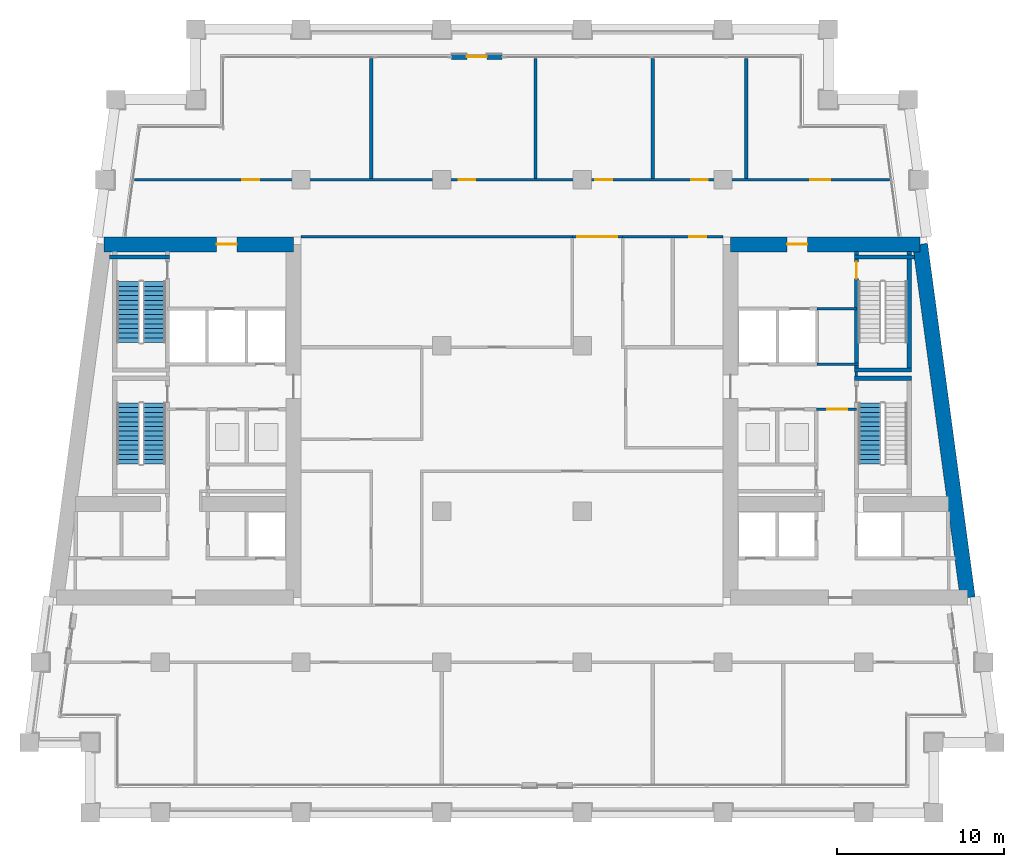
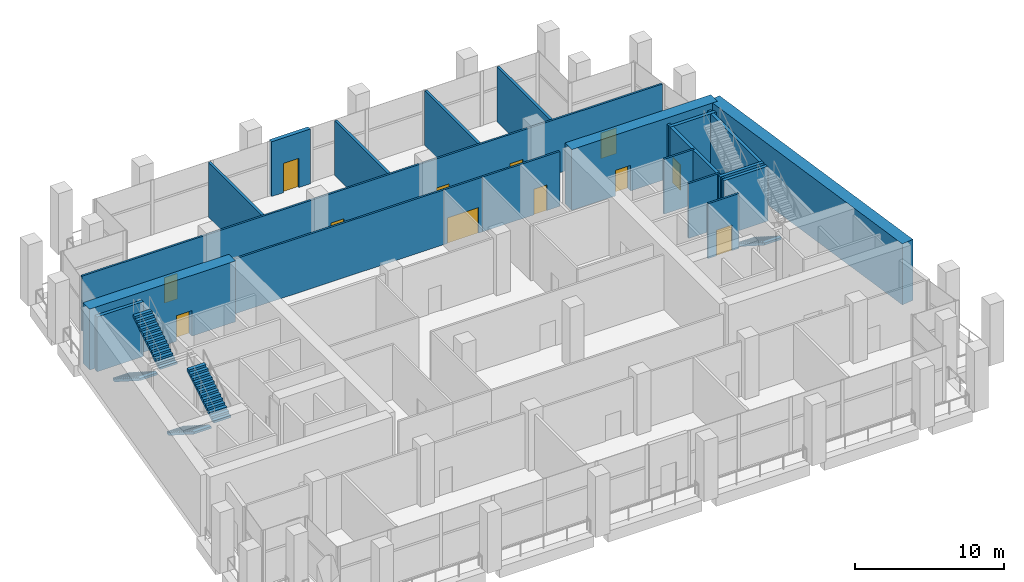
# One storey, part 10 of 16: 22 walls, 12 doors, 5 stair flights, 12 openings, 3 elements without a shape of their own.
"""IFC4 building model written with IfcOpenShell, lengths in metres."""

from ifc_helpers import new_model, si_unit, direction, frame, frame_2d, origin, place, context, subcontext, project, spatial, polyline, rectangle, outline, extrude, material, layer, layer_set, type_object, element, fill, aggregate, save


model = new_model("IFC4")

# Units and contexts
model_context = context("Model", 3, precision=1e-05, world=origin(), true_north=direction((0.0, 1.0)))
body_context = subcontext(model_context, "Body", "Model", "MODEL_VIEW")
ifc_project = project(units=[si_unit("LENGTHUNIT", "METRE"), si_unit("AREAUNIT", "SQUARE_METRE"), si_unit("VOLUMEUNIT", "CUBIC_METRE"), si_unit("PLANEANGLEUNIT", "RADIAN"), si_unit("MASSUNIT", "GRAM", prefix="KILO")], contexts=[model_context])

# Site, building, storey
site_placement = place(None, origin())
site = spatial("IfcSite", under=ifc_project, at=site_placement, CompositionType="ELEMENT")
building_placement = place(site_placement, origin())
building = spatial("IfcBuilding", under=site, at=building_placement, Name="Candeia Pilgrim Tower and Theatre", CompositionType="ELEMENT")
storey_placement = place(building_placement, frame((0.0, 0.0, 192.199951171875)))
storey = spatial("IfcBuildingStorey", under=building, at=storey_placement, Name="L46", CompositionType="ELEMENT", Elevation=192.199951171875)

# Wall, opening, door
ifc_material_1 = material(Name="Concrete C60/75", Category="concrete")
ifc_layer_1 = layer(ifc_material_1, 0.89990234375)
ifc_layer_set_1 = layer_set([ifc_layer_1], Name="Core wall 900 C60/75")
wall_type_1 = type_object("IfcWallType", Name="Core wall 900 C60/75", PredefinedType="SHEAR", material=ifc_layer_set_1)
wall_1_placement = place(storey_placement, frame((89.024169921875, 131.949951171875, 0.0), z_axis=(0.0, 0.0, 1.0), x_axis=(1.0, 0.0, 0.0)))
wall_1 = element("IfcWall", 1, at=wall_1_placement, inside=storey, type_object=wall_type_1, Name="Core wall W1", PredefinedType="SHEAR", context=body_context, shape_type="SweptSolid", body=[
    extrude(rectangle(XDim=11.325927734375, YDim=0.89990234375, at=frame_2d((5.6630859375, 0.0))), origin(), (0.0, 0.0, 1.0), 5.0),
])
opening_1_placement = place(wall_1_placement, frame((6.7392578125, 0.0, 0.0)))
opening_1 = element("IfcOpeningElement", 2, at=opening_1_placement, cuts=wall_1, Name="Opening L46-D033", PredefinedType="OPENING", context=body_context, shape_type="SweptSolid", body=[
    extrude(rectangle(XDim=1.199951171875, YDim=2.10009765625, at=frame_2d((0.60009765625, 1.050048828125))), frame((0.0, 0.4599609375, 0.0), z_axis=(0.0, -1.0, 0.0), x_axis=(1.0, 0.0, 0.0)), (0.0, 0.0, 1.0), 0.919921875),
])
ifc_material_2 = material(Name="Steel fire door set", Category="steel")
door_type_1 = type_object("IfcDoorType", Name="D-1200-FD60", OperationType="NOTDEFINED", PredefinedType="DOOR", material=ifc_material_2)
door_1_placement = place(opening_1_placement, origin())
door_1 = element("IfcDoor", 3, at=door_1_placement, inside=storey, type_object=door_type_1, Name="Door L46-D033", OperationType="SINGLE_SWING_LEFT", OverallHeight=2.10009765625, OverallWidth=1.199951171875, PredefinedType="DOOR", context=body_context, shape_type="SweptSolid", body=[
    extrude(rectangle(XDim=1.199951171875, YDim=2.10009765625, at=frame_2d((0.60009765625, 1.050048828125))), frame((0.0, 0.02490234375, 0.0), z_axis=(0.0, -1.0, 0.0), x_axis=(1.0, 0.0, 0.0)), (0.0, 0.0, 1.0), 0.050048828125),
])
fill(opening_1, door_1)

wall_2_placement = place(storey_placement, frame((126.449951171875, 131.949951171875, 0.0), z_axis=(0.0, 0.0, 1.0), x_axis=(1.0, 0.0, 0.0)))
wall_2 = element("IfcWall", 4, at=wall_2_placement, inside=storey, type_object=wall_type_1, Name="Core wall E1", PredefinedType="SHEAR", context=body_context, shape_type="SweptSolid", body=[
    extrude(rectangle(XDim=11.32568359375, YDim=0.89990234375, at=frame_2d((5.662841796875, 0.0))), origin(), (0.0, 0.0, 1.0), 5.0),
])
opening_2_placement = place(wall_2_placement, frame((3.386474609375, 0.0, 0.0)))
opening_2 = element("IfcOpeningElement", 5, at=opening_2_placement, cuts=wall_2, Name="Opening L46-D036", PredefinedType="OPENING", context=body_context, shape_type="SweptSolid", body=[
    extrude(rectangle(XDim=1.199951171875, YDim=2.10009765625, at=frame_2d((0.60009765625, 1.050048828125))), frame((0.0, 0.4599609375, 0.0), z_axis=(0.0, -1.0, 0.0), x_axis=(1.0, 0.0, 0.0)), (0.0, 0.0, 1.0), 0.919921875),
])
door_2_placement = place(opening_2_placement, origin())
door_2 = element("IfcDoor", 6, at=door_2_placement, inside=storey, type_object=door_type_1, Name="Door L46-D036", OperationType="SINGLE_SWING_RIGHT", OverallHeight=2.10009765625, OverallWidth=1.199951171875, PredefinedType="DOOR", context=body_context, shape_type="SweptSolid", body=[
    extrude(rectangle(XDim=1.199951171875, YDim=2.10009765625, at=frame_2d((0.60009765625, 1.050048828125))), frame((0.0, 0.02490234375, 0.0), z_axis=(0.0, -1.0, 0.0), x_axis=(1.0, 0.0, 0.0)), (0.0, 0.0, 1.0), 0.050048828125),
])
fill(opening_2, door_2)

# Wall
wall_3_placement = place(storey_placement, frame((137.775634765625, 131.949951171875, 0.0), z_axis=(0.0, 0.0, 1.0), x_axis=(0.133421759112, -0.991059349482, 0.0)))
element("IfcWall", 7, at=wall_3_placement, inside=storey, type_object=wall_type_1, Name="Core wall E2", PredefinedType="SHEAR", context=body_context, shape_type="SweptSolid", body=[
    extrude(rectangle(XDim=21.290283203125, YDim=0.89990234375, at=frame_2d((10.64501953125, 0.0))), origin(), (0.0, 0.0, 1.0), 5.0),
])

# Wall, opening, door
ifc_material_3 = material(Name="Ceramic block masonry", Category="masonry")
ifc_layer_2 = layer(ifc_material_3, 0.300048828125)
ifc_layer_set_2 = layer_set([ifc_layer_2], Name="EW2 entrance infill wall 300")
wall_type_2 = type_object("IfcWallType", Name="EW2 entrance infill wall 300", PredefinedType="SOLIDWALL", material=ifc_layer_set_2)
wall_4_placement = place(storey_placement, frame((112.800048828125, 143.14990234375, 0.0), z_axis=(0.0, 0.0, 1.0), x_axis=(-1.0, 0.0, 0.0)))
wall_4 = element("IfcWall", 8, at=wall_4_placement, inside=storey, type_object=wall_type_2, Name="Infill wall L46", PredefinedType="SOLIDWALL", context=body_context, shape_type="SweptSolid", body=[
    extrude(rectangle(XDim=3.0, YDim=0.300048828125, at=frame_2d((1.5, 0.0))), origin(), (0.0, 0.0, 1.0), 4.5),
])
opening_3_placement = place(wall_4_placement, frame((0.89990234375, 0.0, 0.0)))
opening_3 = element("IfcOpeningElement", 9, at=opening_3_placement, cuts=wall_4, Name="Opening L46-ED442", PredefinedType="OPENING", context=body_context, shape_type="SweptSolid", body=[
    extrude(rectangle(XDim=1.199951171875, YDim=2.39990234375, at=frame_2d((0.60009765625, 1.199951171875))), frame((0.0, 0.16015625, 0.0), z_axis=(0.0, -1.0, 0.0), x_axis=(1.0, 0.0, 0.0)), (0.0, 0.0, 1.0), 0.320068359375),
])
ifc_material_4 = material(Name="Aluminium framed glazed door", Category="aluminium")
door_type_2 = type_object("IfcDoorType", Name="Loggia door 1200x2400", OperationType="DOUBLE_DOOR_SINGLE_SWING", PredefinedType="DOOR", material=ifc_material_4)
door_3_placement = place(opening_3_placement, origin())
door_3 = element("IfcDoor", 10, at=door_3_placement, inside=storey, type_object=door_type_2, Name="Loggia door L46-ED442", OperationType="DOUBLE_DOOR_SINGLE_SWING", OverallHeight=2.39990234375, OverallWidth=1.199951171875, PredefinedType="DOOR", context=body_context, shape_type="SweptSolid", body=[
    extrude(rectangle(XDim=1.199951171875, YDim=2.39990234375, at=frame_2d((0.60009765625, 1.199951171875))), frame((0.0, 0.02490234375, 0.0), z_axis=(0.0, -1.0, 0.0), x_axis=(1.0, 0.0, 0.0)), (0.0, 0.0, 1.0), 0.050048828125),
])
fill(opening_3, door_3)

ifc_material_5 = material(Name="Gypsum board partition on steel studs", Category="steel")
ifc_layer_3 = layer(ifc_material_5, 0.14990234375)
ifc_layer_set_3 = layer_set([ifc_layer_3], Name="PW-150 lobby wall")
wall_type_3 = type_object("IfcWallType", Name="PW-150 lobby wall", PredefinedType="PARTITIONING", material=ifc_layer_set_3)
wall_5_placement = place(storey_placement, frame((131.572998046875, 122.10009765625, 0.0), z_axis=(0.0, 0.0, 1.0), x_axis=(1.0, 0.0, 0.0)))
wall_5 = element("IfcWall", 11, at=wall_5_placement, inside=storey, type_object=wall_type_3, Name="Lobby wall L46-024", PredefinedType="PARTITIONING", context=body_context, shape_type="SweptSolid", body=[
    extrude(rectangle(XDim=2.39990234375, YDim=0.14990234375, at=frame_2d((1.199951171875, 0.0))), origin(), (0.0, 0.0, 1.0), 4.5),
])
opening_4_placement = place(wall_5_placement, frame((0.64990234375, 0.0, 0.0)))
opening_4 = element("IfcOpeningElement", 12, at=opening_4_placement, cuts=wall_5, Name="Opening L46-D027", PredefinedType="OPENING", context=body_context, shape_type="SweptSolid", body=[
    extrude(rectangle(XDim=1.199951171875, YDim=2.10009765625, at=frame_2d((0.60009765625, 1.050048828125))), frame((0.0, 0.0849609375, 0.0), z_axis=(0.0, -1.0, 0.0), x_axis=(1.0, 0.0, 0.0)), (0.0, 0.0, 1.0), 0.169921875),
])
door_4_placement = place(opening_4_placement, origin())
door_4 = element("IfcDoor", 13, at=door_4_placement, inside=storey, type_object=door_type_1, Name="Door L46-D027", OperationType="SINGLE_SWING_RIGHT", OverallHeight=2.10009765625, OverallWidth=1.199951171875, PredefinedType="DOOR", context=body_context, shape_type="SweptSolid", body=[
    extrude(rectangle(XDim=1.199951171875, YDim=2.10009765625, at=frame_2d((0.60009765625, 1.050048828125))), frame((0.0, 0.02490234375, 0.0), z_axis=(0.0, -1.0, 0.0), x_axis=(1.0, 0.0, 0.0)), (0.0, 0.0, 1.0), 0.050048828125),
])
fill(opening_4, door_4)

# Walls
wall_6_placement = place(storey_placement, frame((131.615234375, 124.800048828125, 0.0), z_axis=(0.0, 0.0, 1.0), x_axis=(1.0, 0.0, 0.0)))
element("IfcWall", 14, at=wall_6_placement, inside=storey, type_object=wall_type_3, Name="Lobby wall L46-031", PredefinedType="PARTITIONING", context=body_context, shape_type="SweptSolid", body=[
    extrude(rectangle(XDim=2.482666015625, YDim=0.14990234375, at=frame_2d((1.2412109375, 0.0))), origin(), (0.0, 0.0, 1.0), 4.5),
])
wall_7_placement = place(storey_placement, frame((131.615234375, 128.10009765625, 0.0), z_axis=(0.0, 0.0, 1.0), x_axis=(1.0, 0.0, 0.0)))
element("IfcWall", 15, at=wall_7_placement, inside=storey, type_object=wall_type_3, Name="Lobby wall L46-038", PredefinedType="PARTITIONING", context=body_context, shape_type="SweptSolid", body=[
    extrude(rectangle(XDim=2.357666015625, YDim=0.14990234375, at=frame_2d((1.1787109375, 0.0))), origin(), (0.0, 0.0, 1.0), 4.5),
])

# Wall, opening, door
wall_8_placement = place(storey_placement, frame((117.0, 132.39990234375, 0.0), z_axis=(0.0, 0.0, 1.0), x_axis=(1.0, 0.0, 0.0)))
wall_8 = element("IfcWall", 16, at=wall_8_placement, inside=storey, type_object=wall_type_3, Name="Lobby wall L46-041", PredefinedType="PARTITIONING", context=body_context, shape_type="SweptSolid", body=[
    extrude(rectangle(XDim=3.0, YDim=0.14990234375, at=frame_2d((1.5, 0.0))), origin(), (0.0, 0.0, 1.0), 4.5),
])
opening_5_placement = place(wall_8_placement, frame((0.300048828125, 0.0, 0.0)))
opening_5 = element("IfcOpeningElement", 17, at=opening_5_placement, cuts=wall_8, Name="Opening L46-D004", PredefinedType="OPENING", context=body_context, shape_type="SweptSolid", body=[
    extrude(rectangle(XDim=2.39990234375, YDim=2.10009765625, at=frame_2d((1.199951171875, 1.050048828125))), frame((0.0, 0.0849609375, 0.0), z_axis=(0.0, -1.0, 0.0), x_axis=(1.0, 0.0, 0.0)), (0.0, 0.0, 1.0), 0.169921875),
])
door_type_3 = type_object("IfcDoorType", Name="D-2400-FD30S", OperationType="NOTDEFINED", PredefinedType="DOOR", material=ifc_material_2)
door_5_placement = place(opening_5_placement, origin())
door_5 = element("IfcDoor", 18, at=door_5_placement, inside=storey, type_object=door_type_3, Name="Door L46-D004", OperationType="SINGLE_SWING_RIGHT", OverallHeight=2.10009765625, OverallWidth=2.39990234375, PredefinedType="DOOR", context=body_context, shape_type="SweptSolid", body=[
    extrude(rectangle(XDim=2.39990234375, YDim=2.10009765625, at=frame_2d((1.199951171875, 1.050048828125))), frame((0.0, 0.02490234375, 0.0), z_axis=(0.0, -1.0, 0.0), x_axis=(1.0, 0.0, 0.0)), (0.0, 0.0, 1.0), 0.050048828125),
])
fill(opening_5, door_5)

# Walls
wall_9_placement = place(storey_placement, frame((133.972900390625, 124.074951171875, 0.0), z_axis=(0.0, 0.0, 1.0), x_axis=(0.0, 1.0, 0.0)))
element("IfcWall", 19, at=wall_9_placement, inside=storey, type_object=wall_type_3, Name="Lobby wall L46-086", PredefinedType="PARTITIONING", context=body_context, shape_type="SweptSolid", body=[
    extrude(rectangle(XDim=0.25, YDim=0.14990234375, at=frame_2d((0.125, 0.0))), origin(), (0.0, 0.0, 1.0), 4.5),
])
ifc_layer_4 = layer(ifc_material_5, 0.14990234375)
ifc_layer_set_4 = layer_set([ifc_layer_4], Name="PW-150 unit wall")
wall_type_4 = type_object("IfcWallType", Name="PW-150 unit wall", PredefinedType="PARTITIONING", material=ifc_layer_set_4)
wall_10_placement = place(storey_placement, frame((100.800048828125, 132.39990234375, 0.0), z_axis=(0.0, 0.0, 1.0), x_axis=(1.0, 0.0, 0.0)))
element("IfcWall", 20, at=wall_10_placement, inside=storey, type_object=wall_type_4, Name="Unit wall L46-042", PredefinedType="PARTITIONING", context=body_context, shape_type="SweptSolid", body=[
    extrude(rectangle(XDim=16.199951171875, YDim=0.14990234375, at=frame_2d((8.10009765625, 0.0))), origin(), (0.0, 0.0, 1.0), 4.5),
])

# Wall, opening, door
wall_11_placement = place(storey_placement, frame((120.0, 132.39990234375, 0.0), z_axis=(0.0, 0.0, 1.0), x_axis=(1.0, 0.0, 0.0)))
wall_11 = element("IfcWall", 21, at=wall_11_placement, inside=storey, type_object=wall_type_4, Name="Unit wall L46-043", PredefinedType="PARTITIONING", context=body_context, shape_type="SweptSolid", body=[
    extrude(rectangle(XDim=6.0, YDim=0.14990234375, at=frame_2d((3.0, 0.0))), origin(), (0.0, 0.0, 1.0), 4.5),
])
opening_6_placement = place(wall_11_placement, frame((4.0, 0.0, 0.0)))
opening_6 = element("IfcOpeningElement", 22, at=opening_6_placement, cuts=wall_11, Name="Opening L46-D009", PredefinedType="OPENING", context=body_context, shape_type="SweptSolid", body=[
    extrude(rectangle(XDim=1.0, YDim=2.10009765625, at=frame_2d((0.5, 1.050048828125))), frame((0.0, 0.0849609375, 0.0), z_axis=(0.0, -1.0, 0.0), x_axis=(1.0, 0.0, 0.0)), (0.0, 0.0, 1.0), 0.169921875),
])
door_type_4 = type_object("IfcDoorType", Name="D-1000-FD30S", OperationType="NOTDEFINED", PredefinedType="DOOR", material=ifc_material_2)
door_6_placement = place(opening_6_placement, origin())
door_6 = element("IfcDoor", 23, at=door_6_placement, inside=storey, type_object=door_type_4, Name="Door L46-D009", OperationType="SINGLE_SWING_LEFT", OverallHeight=2.10009765625, OverallWidth=1.0, PredefinedType="DOOR", context=body_context, shape_type="SweptSolid", body=[
    extrude(rectangle(XDim=1.0, YDim=2.10009765625, at=frame_2d((0.5, 1.050048828125))), frame((0.0, 0.02490234375, 0.0), z_axis=(0.0, -1.0, 0.0), x_axis=(1.0, 0.0, 0.0)), (0.0, 0.0, 1.0), 0.050048828125),
])
fill(opening_6, door_6)

# Wall, openings, doors
wall_12_placement = place(storey_placement, frame((90.8642578125, 135.800048828125, 0.0), z_axis=(0.0, 0.0, 1.0), x_axis=(1.0, 0.0, 0.0)))
wall_12 = element("IfcWall", 24, at=wall_12_placement, inside=storey, type_object=wall_type_4, Name="Unit wall L46-044", PredefinedType="PARTITIONING", context=body_context, shape_type="SweptSolid", body=[
    extrude(rectangle(XDim=45.071533203125, YDim=0.14990234375, at=frame_2d((22.53564453125, 0.0))), origin(), (0.0, 0.0, 1.0), 4.5),
])
opening_7_placement = place(wall_12_placement, frame((6.436767578125, 0.0, 0.0)))
opening_7 = element("IfcOpeningElement", 25, at=opening_7_placement, cuts=wall_12, Name="Opening L46-D015", PredefinedType="OPENING", context=body_context, shape_type="SweptSolid", body=[
    extrude(rectangle(XDim=1.0, YDim=2.10009765625, at=frame_2d((0.5, 1.050048828125))), frame((0.0, 0.0849609375, 0.0), z_axis=(0.0, -1.0, 0.0), x_axis=(1.0, 0.0, 0.0)), (0.0, 0.0, 1.0), 0.169921875),
])
opening_8_placement = place(wall_12_placement, frame((19.345703125, 0.0, 0.0)))
opening_8 = element("IfcOpeningElement", 26, at=opening_8_placement, cuts=wall_12, Name="Opening L46-D016", PredefinedType="OPENING", context=body_context, shape_type="SweptSolid", body=[
    extrude(rectangle(XDim=1.0, YDim=2.10009765625, at=frame_2d((0.5, 1.050048828125))), frame((0.0, 0.0849609375, 0.0), z_axis=(0.0, -1.0, 0.0), x_axis=(1.0, 0.0, 0.0)), (0.0, 0.0, 1.0), 0.169921875),
])
opening_9_placement = place(wall_12_placement, frame((27.515625, 0.0, 0.0)))
opening_9 = element("IfcOpeningElement", 27, at=opening_9_placement, cuts=wall_12, Name="Opening L46-D017", PredefinedType="OPENING", context=body_context, shape_type="SweptSolid", body=[
    extrude(rectangle(XDim=1.0, YDim=2.10009765625, at=frame_2d((0.5, 1.050048828125))), frame((0.0, 0.0849609375, 0.0), z_axis=(0.0, -1.0, 0.0), x_axis=(1.0, 0.0, 0.0)), (0.0, 0.0, 1.0), 0.169921875),
])
opening_10_placement = place(wall_12_placement, frame((33.235595703125, 0.0, 0.0)))
opening_10 = element("IfcOpeningElement", 28, at=opening_10_placement, cuts=wall_12, Name="Opening L46-D018", PredefinedType="OPENING", context=body_context, shape_type="SweptSolid", body=[
    extrude(rectangle(XDim=1.0, YDim=2.10009765625, at=frame_2d((0.5, 1.050048828125))), frame((0.0, 0.0849609375, 0.0), z_axis=(0.0, -1.0, 0.0), x_axis=(1.0, 0.0, 0.0)), (0.0, 0.0, 1.0), 0.169921875),
])
opening_11_placement = place(wall_12_placement, frame((40.334716796875, 0.0, 0.0)))
opening_11 = element("IfcOpeningElement", 29, at=opening_11_placement, cuts=wall_12, Name="Opening L46-D019", PredefinedType="OPENING", context=body_context, shape_type="SweptSolid", body=[
    extrude(rectangle(XDim=1.199951171875, YDim=2.10009765625, at=frame_2d((0.60009765625, 1.050048828125))), frame((0.0, 0.0849609375, 0.0), z_axis=(0.0, -1.0, 0.0), x_axis=(1.0, 0.0, 0.0)), (0.0, 0.0, 1.0), 0.169921875),
])
door_7_placement = place(opening_7_placement, origin())
door_7 = element("IfcDoor", 30, at=door_7_placement, inside=storey, type_object=door_type_4, Name="Door L46-D015", OperationType="SINGLE_SWING_LEFT", OverallHeight=2.10009765625, OverallWidth=1.0, PredefinedType="DOOR", context=body_context, shape_type="SweptSolid", body=[
    extrude(rectangle(XDim=1.0, YDim=2.10009765625, at=frame_2d((0.5, 1.050048828125))), frame((0.0, 0.02490234375, 0.0), z_axis=(0.0, -1.0, 0.0), x_axis=(1.0, 0.0, 0.0)), (0.0, 0.0, 1.0), 0.050048828125),
])
fill(opening_7, door_7)
door_8_placement = place(opening_8_placement, origin())
door_8 = element("IfcDoor", 31, at=door_8_placement, inside=storey, type_object=door_type_4, Name="Door L46-D016", OperationType="SINGLE_SWING_RIGHT", OverallHeight=2.10009765625, OverallWidth=1.0, PredefinedType="DOOR", context=body_context, shape_type="SweptSolid", body=[
    extrude(rectangle(XDim=1.0, YDim=2.10009765625, at=frame_2d((0.5, 1.050048828125))), frame((0.0, 0.02490234375, 0.0), z_axis=(0.0, -1.0, 0.0), x_axis=(1.0, 0.0, 0.0)), (0.0, 0.0, 1.0), 0.050048828125),
])
fill(opening_8, door_8)
door_9_placement = place(opening_9_placement, origin())
door_9 = element("IfcDoor", 32, at=door_9_placement, inside=storey, type_object=door_type_4, Name="Door L46-D017", OperationType="SINGLE_SWING_LEFT", OverallHeight=2.10009765625, OverallWidth=1.0, PredefinedType="DOOR", context=body_context, shape_type="SweptSolid", body=[
    extrude(rectangle(XDim=1.0, YDim=2.10009765625, at=frame_2d((0.5, 1.050048828125))), frame((0.0, 0.02490234375, 0.0), z_axis=(0.0, -1.0, 0.0), x_axis=(1.0, 0.0, 0.0)), (0.0, 0.0, 1.0), 0.050048828125),
])
fill(opening_9, door_9)
door_10_placement = place(opening_10_placement, origin())
door_10 = element("IfcDoor", 33, at=door_10_placement, inside=storey, type_object=door_type_4, Name="Door L46-D018", OperationType="SINGLE_SWING_RIGHT", OverallHeight=2.10009765625, OverallWidth=1.0, PredefinedType="DOOR", context=body_context, shape_type="SweptSolid", body=[
    extrude(rectangle(XDim=1.0, YDim=2.10009765625, at=frame_2d((0.5, 1.050048828125))), frame((0.0, 0.02490234375, 0.0), z_axis=(0.0, -1.0, 0.0), x_axis=(1.0, 0.0, 0.0)), (0.0, 0.0, 1.0), 0.050048828125),
])
fill(opening_10, door_10)
door_type_5 = type_object("IfcDoorType", Name="D-1200-FD30S", OperationType="NOTDEFINED", PredefinedType="DOOR", material=ifc_material_2)
door_11_placement = place(opening_11_placement, origin())
door_11 = element("IfcDoor", 34, at=door_11_placement, inside=storey, type_object=door_type_5, Name="Door L46-D019", OperationType="SINGLE_SWING_LEFT", OverallHeight=2.10009765625, OverallWidth=1.199951171875, PredefinedType="DOOR", context=body_context, shape_type="SweptSolid", body=[
    extrude(rectangle(XDim=1.199951171875, YDim=2.10009765625, at=frame_2d((0.60009765625, 1.050048828125))), frame((0.0, 0.02490234375, 0.0), z_axis=(0.0, -1.0, 0.0), x_axis=(1.0, 0.0, 0.0)), (0.0, 0.0, 1.0), 0.050048828125),
])
fill(opening_11, door_11)

# Walls
ifc_layer_5 = layer(ifc_material_5, 0.199951171875)
ifc_layer_set_5 = layer_set([ifc_layer_5], Name="PW-200 party wall")
wall_type_5 = type_object("IfcWallType", Name="PW-200 party wall", PredefinedType="PARTITIONING", material=ifc_layer_set_5)
for number, where, z_axis, x_axis, name in (
    (35, (105.0, 135.875, 0.0), (0.0, 0.0, 1.0), (0.0, 1.0, 0.0), "Party wall L46-064"),
    (36, (114.800048828125, 135.875, 0.0), (0.0, 0.0, 1.0), (0.0, 1.0, 0.0), "Party wall L46-068"),
    (37, (121.800048828125, 135.875, 0.0), (0.0, 0.0, 1.0), (0.0, 1.0, 0.0), "Party wall L46-073"),
    (38, (127.39990234375, 135.875, 0.0), (0.0, 0.0, 1.0), (0.0, 1.0, 0.0), "Party wall L46-075"),
):
    element("IfcWall", number, at=place(storey_placement, frame(where, z_axis=z_axis, x_axis=x_axis)), inside=storey, type_object=wall_type_5, Name=name, PredefinedType="PARTITIONING", context=body_context, shape_type="SweptSolid", body=[
        extrude(rectangle(XDim=7.1650390625, YDim=0.199951171875, at=frame_2d((3.58251953125, 0.0))), origin(), (0.0, 0.0, 1.0), 4.5),
    ])
ifc_material_6 = material(Name="Concrete C40/50", Category="concrete")
ifc_layer_6 = layer(ifc_material_6, 0.25)
ifc_layer_set_6 = layer_set([ifc_layer_6], Name="SW-250 stair wall")
wall_type_6 = type_object("IfcWallType", Name="SW-250 stair wall", PredefinedType="PARTITIONING", material=ifc_layer_set_6)
for number, where, z_axis, x_axis, name in (
    (39, (133.847900390625, 123.949951171875, 0.0), (0.0, 0.0, 1.0), (1.0, 0.0, 0.0), "Stair wall L46-026"),
    (40, (133.847900390625, 124.449951171875, 0.0), (0.0, 0.0, 1.0), (1.0, 0.0, 0.0), "Stair wall L46-028"),
):
    element("IfcWall", number, at=place(storey_placement, frame(where, z_axis=z_axis, x_axis=x_axis)), inside=storey, type_object=wall_type_6, Name=name, PredefinedType="PARTITIONING", context=body_context, shape_type="SweptSolid", body=[
        extrude(rectangle(XDim=3.400146484375, YDim=0.25, at=frame_2d((1.7001953125, 0.0))), origin(), (0.0, 0.0, 1.0), 4.5),
    ])
wall_13_placement = place(storey_placement, frame((89.347412109375, 131.199951171875, 0.0), z_axis=(0.0, 0.0, 1.0), x_axis=(1.0, 0.0, 0.0)))
element("IfcWall", 41, at=wall_13_placement, inside=storey, type_object=wall_type_6, Name="Stair wall L46-039", PredefinedType="PARTITIONING", context=body_context, shape_type="SweptSolid", body=[
    extrude(rectangle(XDim=3.6044921875, YDim=0.25, at=frame_2d((1.80224609375, 0.0))), origin(), (0.0, 0.0, 1.0), 4.5),
])
wall_14_placement = place(storey_placement, frame((133.847900390625, 131.199951171875, 0.0), z_axis=(0.0, 0.0, 1.0), x_axis=(1.0, 0.0, 0.0)))
element("IfcWall", 42, at=wall_14_placement, inside=storey, type_object=wall_type_6, Name="Stair wall L46-040", PredefinedType="PARTITIONING", context=body_context, shape_type="SweptSolid", body=[
    extrude(rectangle(XDim=3.604736328125, YDim=0.25, at=frame_2d((1.80224609375, 0.0))), origin(), (0.0, 0.0, 1.0), 4.5),
])

# Wall, opening, door
wall_15_placement = place(storey_placement, frame((133.972900390625, 124.574951171875, 0.0), z_axis=(0.0, 0.0, 1.0), x_axis=(0.0, 1.0, 0.0)))
wall_15 = element("IfcWall", 43, at=wall_15_placement, inside=storey, type_object=wall_type_6, Name="Stair wall L46-088", PredefinedType="PARTITIONING", context=body_context, shape_type="SweptSolid", body=[
    extrude(rectangle(XDim=6.955078125, YDim=0.25, at=frame_2d((3.4775390625, 0.0))), origin(), (0.0, 0.0, 1.0), 4.5),
])
opening_12_placement = place(wall_15_placement, frame((5.324951171875, 0.0, 0.0)))
opening_12 = element("IfcOpeningElement", 44, at=opening_12_placement, cuts=wall_15, Name="Opening L46-D029", PredefinedType="OPENING", context=body_context, shape_type="SweptSolid", body=[
    extrude(rectangle(XDim=1.0, YDim=2.10009765625, at=frame_2d((0.5, 1.050048828125))), frame((0.0, 0.135009765625, 0.0), z_axis=(0.0, -1.0, 0.0), x_axis=(1.0, 0.0, 0.0)), (0.0, 0.0, 1.0), 0.27001953125),
])
door_type_6 = type_object("IfcDoorType", Name="D-1000-FD60", OperationType="NOTDEFINED", PredefinedType="DOOR", material=ifc_material_2)
door_12_placement = place(opening_12_placement, origin())
door_12 = element("IfcDoor", 45, at=door_12_placement, inside=storey, type_object=door_type_6, Name="Door L46-D029", OperationType="SINGLE_SWING_RIGHT", OverallHeight=2.10009765625, OverallWidth=1.0, PredefinedType="DOOR", context=body_context, shape_type="SweptSolid", body=[
    extrude(rectangle(XDim=1.0, YDim=2.10009765625, at=frame_2d((0.5, 1.050048828125))), frame((0.0, 0.02490234375, 0.0), z_axis=(0.0, -1.0, 0.0), x_axis=(1.0, 0.0, 0.0)), (0.0, 0.0, 1.0), 0.050048828125),
])
fill(opening_12, door_12)

# Wall
wall_16_placement = place(storey_placement, frame((137.123046875, 124.574951171875, 0.0), z_axis=(0.0, 0.0, 1.0), x_axis=(0.0, 1.0, 0.0)))
element("IfcWall", 46, at=wall_16_placement, inside=storey, type_object=wall_type_6, Name="Stair wall L46-091", PredefinedType="PARTITIONING", context=body_context, shape_type="SweptSolid", body=[
    extrude(rectangle(XDim=6.955078125, YDim=0.25, at=frame_2d((3.4775390625, 0.0))), origin(), (0.0, 0.0, 1.0), 4.5),
])

# Stair, stair flights
stair_type = type_object("IfcStairType", Name="ST-TWR dog-leg escape stair", PredefinedType="HALF_TURN_STAIR", material=ifc_material_6)
stair_1_placement = place(storey_placement, origin())
stair_1 = element("IfcStair", 47, at=stair_1_placement, inside=storey, type_object=stair_type, Name="L46 Escape stair ST1", PredefinedType="HALF_TURN_STAIR")
stair_flight_type = type_object("IfcStairFlightType", Name="SFL-RC stair flight", PredefinedType="STRAIGHT", material=ifc_material_6)
stair_flight_1_placement = place(storey_placement, frame((90.47705078125, 122.47509765625, 0.0), z_axis=(0.0, 0.0, 1.0), x_axis=(0.0, -1.0, 0.0)))
stair_flight_1 = element("IfcStairFlight", 48, at=stair_flight_1_placement, type_object=stair_flight_type, Name="ST1 flight 1", NumberOfRisers=14, NumberOfTreads=13, PredefinedType="STRAIGHT", RiserHeight=0.178571429, TreadLength=0.28, context=body_context, shape_type="SweptSolid", body=[
    extrude(outline(polyline([(0.0, 0.0), (0.0, 0.178466796875), (0.280029296875, 0.178466796875), (0.280029296875, 0.357177734375), (0.56005859375, 0.357177734375), (0.56005859375, 0.53564453125), (0.840087890625, 0.53564453125), (0.840087890625, 0.71435546875), (1.1201171875, 0.71435546875), (1.1201171875, 0.892822265625), (1.39990234375, 0.892822265625), (1.39990234375, 1.071533203125), (1.679931640625, 1.071533203125), (1.679931640625, 1.25), (1.9599609375, 1.25), (1.9599609375, 1.428466796875), (2.239990234375, 1.428466796875), (2.239990234375, 1.607177734375), (2.52001953125, 1.607177734375), (2.52001953125, 1.78564453125), (2.800048828125, 1.78564453125), (2.800048828125, 1.96435546875), (3.080078125, 1.96435546875), (3.080078125, 2.142822265625), (3.360107421875, 2.142822265625), (3.360107421875, 2.321533203125), (3.639892578125, 2.321533203125), (3.639892578125, 2.5), (3.639892578125, 2.1435546875), (0.27880859375, 0.0), (0.0, 0.0)])), frame((0.0, 0.675048828125, 0.0), z_axis=(0.0, -1.0, 0.0), x_axis=(1.0, 0.0, 0.0)), (0.0, 0.0, 1.0), 1.35009765625),
])
stair_flight_2_placement = place(storey_placement, frame((92.027099609375, 118.8349609375, 2.5), z_axis=(0.0, 0.0, 1.0), x_axis=(0.0, 1.0, 0.0)))
stair_flight_2 = element("IfcStairFlight", 49, at=stair_flight_2_placement, type_object=stair_flight_type, Name="ST1 flight 2", NumberOfRisers=14, NumberOfTreads=13, PredefinedType="STRAIGHT", RiserHeight=0.178571429, TreadLength=0.28, context=body_context, shape_type="SweptSolid", body=[
    extrude(outline(polyline([(0.0, 0.0), (0.0, 0.178466796875), (0.280029296875, 0.178466796875), (0.280029296875, 0.357177734375), (0.56005859375, 0.357177734375), (0.56005859375, 0.53564453125), (0.840087890625, 0.53564453125), (0.840087890625, 0.71435546875), (1.1201171875, 0.71435546875), (1.1201171875, 0.892822265625), (1.39990234375, 0.892822265625), (1.39990234375, 1.071533203125), (1.679931640625, 1.071533203125), (1.679931640625, 1.25), (1.9599609375, 1.25), (1.9599609375, 1.428466796875), (2.239990234375, 1.428466796875), (2.239990234375, 1.607177734375), (2.52001953125, 1.607177734375), (2.52001953125, 1.78564453125), (2.800048828125, 1.78564453125), (2.800048828125, 1.96435546875), (3.080078125, 1.96435546875), (3.080078125, 2.142822265625), (3.360107421875, 2.142822265625), (3.360107421875, 2.321533203125), (3.639892578125, 2.321533203125), (3.639892578125, 2.5), (3.639892578125, 2.1435546875), (0.27880859375, 0.0), (0.0, 0.0)])), frame((0.0, 0.675048828125, 0.0), z_axis=(0.0, -1.0, 0.0), x_axis=(1.0, 0.0, 0.0)), (0.0, 0.0, 1.0), 1.35009765625),
])
aggregate(stair_1, [stair_flight_1, stair_flight_2])

stair_2_placement = place(storey_placement, origin())
stair_2 = element("IfcStair", 50, at=stair_2_placement, inside=storey, type_object=stair_type, Name="L46 Escape stair ST2", PredefinedType="HALF_TURN_STAIR")
stair_flight_3_placement = place(storey_placement, frame((90.47705078125, 129.72509765625, 0.0), z_axis=(0.0, 0.0, 1.0), x_axis=(0.0, -1.0, 0.0)))
stair_flight_3 = element("IfcStairFlight", 51, at=stair_flight_3_placement, type_object=stair_flight_type, Name="ST2 flight 1", NumberOfRisers=14, NumberOfTreads=13, PredefinedType="STRAIGHT", RiserHeight=0.178571429, TreadLength=0.28, context=body_context, shape_type="SweptSolid", body=[
    extrude(outline(polyline([(0.0, 0.0), (0.0, 0.178466796875), (0.280029296875, 0.178466796875), (0.280029296875, 0.357177734375), (0.56005859375, 0.357177734375), (0.56005859375, 0.53564453125), (0.840087890625, 0.53564453125), (0.840087890625, 0.71435546875), (1.1201171875, 0.71435546875), (1.1201171875, 0.892822265625), (1.39990234375, 0.892822265625), (1.39990234375, 1.071533203125), (1.679931640625, 1.071533203125), (1.679931640625, 1.25), (1.9599609375, 1.25), (1.9599609375, 1.428466796875), (2.239990234375, 1.428466796875), (2.239990234375, 1.607177734375), (2.52001953125, 1.607177734375), (2.52001953125, 1.78564453125), (2.800048828125, 1.78564453125), (2.800048828125, 1.96435546875), (3.080078125, 1.96435546875), (3.080078125, 2.142822265625), (3.360107421875, 2.142822265625), (3.360107421875, 2.321533203125), (3.639892578125, 2.321533203125), (3.639892578125, 2.5), (3.639892578125, 2.1435546875), (0.27880859375, 0.0), (0.0, 0.0)])), frame((0.0, 0.675048828125, 0.0), z_axis=(0.0, -1.0, 0.0), x_axis=(1.0, 0.0, 0.0)), (0.0, 0.0, 1.0), 1.35009765625),
])
stair_flight_4_placement = place(storey_placement, frame((92.027099609375, 126.0849609375, 2.5), z_axis=(0.0, 0.0, 1.0), x_axis=(0.0, 1.0, 0.0)))
stair_flight_4 = element("IfcStairFlight", 52, at=stair_flight_4_placement, type_object=stair_flight_type, Name="ST2 flight 2", NumberOfRisers=14, NumberOfTreads=13, PredefinedType="STRAIGHT", RiserHeight=0.178571429, TreadLength=0.28, context=body_context, shape_type="SweptSolid", body=[
    extrude(outline(polyline([(0.0, 0.0), (0.0, 0.178466796875), (0.280029296875, 0.178466796875), (0.280029296875, 0.357177734375), (0.56005859375, 0.357177734375), (0.56005859375, 0.53564453125), (0.840087890625, 0.53564453125), (0.840087890625, 0.71435546875), (1.1201171875, 0.71435546875), (1.1201171875, 0.892822265625), (1.39990234375, 0.892822265625), (1.39990234375, 1.071533203125), (1.679931640625, 1.071533203125), (1.679931640625, 1.25), (1.9599609375, 1.25), (1.9599609375, 1.428466796875), (2.239990234375, 1.428466796875), (2.239990234375, 1.607177734375), (2.52001953125, 1.607177734375), (2.52001953125, 1.78564453125), (2.800048828125, 1.78564453125), (2.800048828125, 1.96435546875), (3.080078125, 1.96435546875), (3.080078125, 2.142822265625), (3.360107421875, 2.142822265625), (3.360107421875, 2.321533203125), (3.639892578125, 2.321533203125), (3.639892578125, 2.5), (3.639892578125, 2.1435546875), (0.27880859375, 0.0), (0.0, 0.0)])), frame((0.0, 0.675048828125, 0.0), z_axis=(0.0, -1.0, 0.0), x_axis=(1.0, 0.0, 0.0)), (0.0, 0.0, 1.0), 1.35009765625),
])
aggregate(stair_2, [stair_flight_3, stair_flight_4])

# Stair, stair flight
stair_3_placement = place(storey_placement, origin())
stair_3 = element("IfcStair", 53, at=stair_3_placement, inside=storey, type_object=stair_type, Name="L46 Escape stair ST3", PredefinedType="HALF_TURN_STAIR")
stair_flight_5_placement = place(storey_placement, frame((134.77294921875, 122.47509765625, 0.0), z_axis=(0.0, 0.0, 1.0), x_axis=(0.0, -1.0, 0.0)))
stair_flight_5 = element("IfcStairFlight", 54, at=stair_flight_5_placement, type_object=stair_flight_type, Name="ST3 flight 1", NumberOfRisers=14, NumberOfTreads=13, PredefinedType="STRAIGHT", RiserHeight=0.178571429, TreadLength=0.28, context=body_context, shape_type="SweptSolid", body=[
    extrude(outline(polyline([(0.0, 0.0), (0.0, 0.178466796875), (0.280029296875, 0.178466796875), (0.280029296875, 0.357177734375), (0.56005859375, 0.357177734375), (0.56005859375, 0.53564453125), (0.840087890625, 0.53564453125), (0.840087890625, 0.71435546875), (1.1201171875, 0.71435546875), (1.1201171875, 0.892822265625), (1.39990234375, 0.892822265625), (1.39990234375, 1.071533203125), (1.679931640625, 1.071533203125), (1.679931640625, 1.25), (1.9599609375, 1.25), (1.9599609375, 1.428466796875), (2.239990234375, 1.428466796875), (2.239990234375, 1.607177734375), (2.52001953125, 1.607177734375), (2.52001953125, 1.78564453125), (2.800048828125, 1.78564453125), (2.800048828125, 1.96435546875), (3.080078125, 1.96435546875), (3.080078125, 2.142822265625), (3.360107421875, 2.142822265625), (3.360107421875, 2.321533203125), (3.639892578125, 2.321533203125), (3.639892578125, 2.5), (3.639892578125, 2.1435546875), (0.27880859375, 0.0), (0.0, 0.0)])), frame((0.0, 0.675048828125, 0.0), z_axis=(0.0, -1.0, 0.0), x_axis=(1.0, 0.0, 0.0)), (0.0, 0.0, 1.0), 1.35009765625),
])
aggregate(stair_3, [stair_flight_5])

save(model, "model.ifc")
